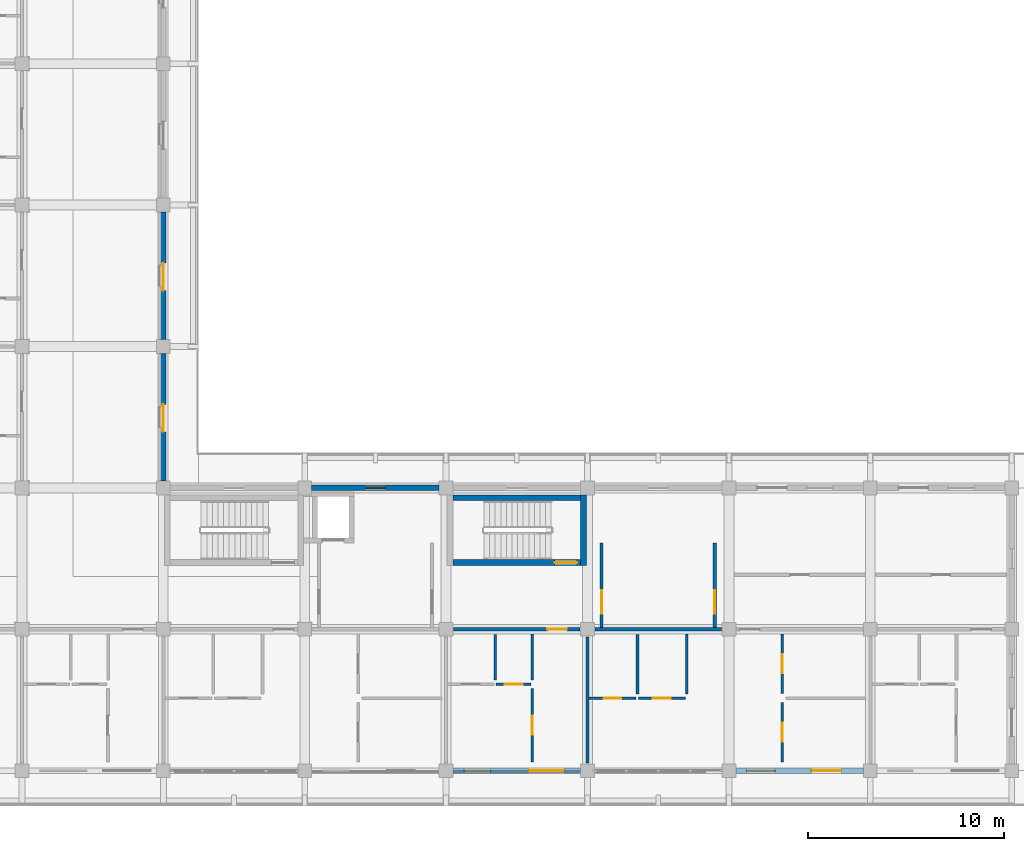
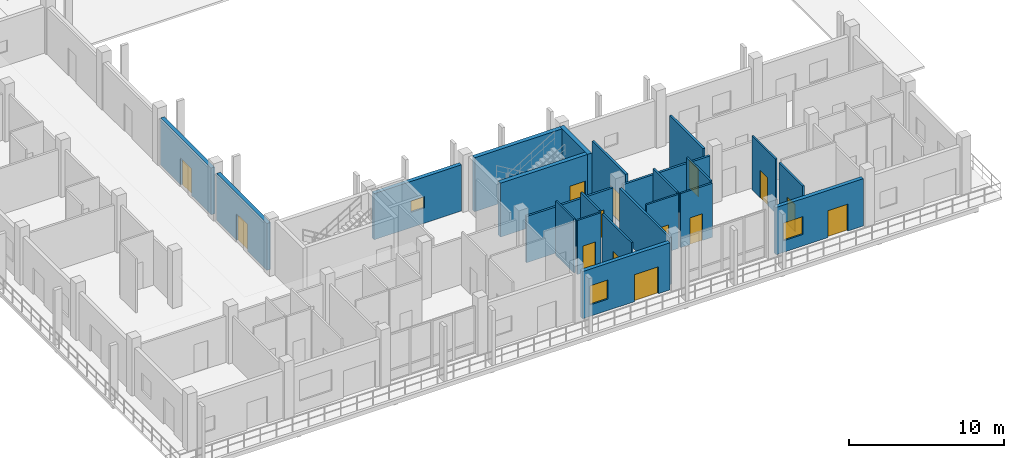
# One storey, part 66 of 110: 23 walls, 14 doors, 3 windows, 17 openings.
"""IFC4 building model written with IfcOpenShell, lengths in metres."""

import ifcopenshell
import ifcopenshell.guid

model = None  # the IFC model being written
_history = None  # IfcOwnerHistory: only IFC2X3 demands one
_inside = {}  # id of a spatial element -> (the spatial element, [elements in it])
_under = {}  # id of a project, library or spatial element -> (it, [spatial elements below it])
_declared = {}  # id of a project -> (the project, [libraries it declares])
_typed = {}  # id of a type object -> (the type object, [elements of that type])
_made_of = {}  # id of a material, layer set ... -> (it, [elements and type objects made of it])


def new_model(schema):
    """Start an empty IFC model of exactly this schema.

    Asked for "IFC4X3", IfcOpenShell would pick the latest addendum, in which some entities
    have other attributes; the version numbers below select the first issue.
    IFC2X3 requires an IfcOwnerHistory on every rooted entity: one is made here for all.
    """
    global model, _history
    if schema == "IFC4X3":
        model = ifcopenshell.file(schema_version=(4, 3, 0, 0))
    else:
        model = ifcopenshell.file(schema=schema)
    _inside.clear()
    _under.clear()
    _declared.clear()
    _typed.clear()
    _made_of.clear()
    _history = None
    if model.schema == "IFC2X3":
        org = make("IfcOrganization", Name="unknown")
        user = make(
            "IfcPersonAndOrganization",
            ThePerson=make("IfcPerson", FamilyName="unknown"),
            TheOrganization=org,
        )
        app = make(
            "IfcApplication",
            ApplicationDeveloper=org,
            Version="unknown",
            ApplicationFullName="unknown",
            ApplicationIdentifier="unknown",
        )
        _history = make(
            "IfcOwnerHistory",
            OwningUser=user,
            OwningApplication=app,
            ChangeAction="ADDED",
            CreationDate=0,
        )
    return model


def make(cls, **values):
    """One entity of the class cls with the attributes given. An attribute that is None is left unset."""
    return model.create_entity(
        cls, **{name: value for name, value in values.items() if value is not None}
    )


def rooted(cls, **values):
    """An entity with a GlobalId (a new one), such as an element, a storey or a relation."""
    return make(cls, GlobalId=ifcopenshell.guid.new(), OwnerHistory=_history, **values)


def si_unit(unit_type, name, prefix=None):
    """IfcSIUnit, for example si_unit("LENGTHUNIT", "METRE", prefix="MILLI")."""
    return make("IfcSIUnit", UnitType=unit_type, Prefix=prefix, Name=name)


def assignment(units):
    """IfcUnitAssignment: the units of a project."""
    return None if units is None else make("IfcUnitAssignment", Units=units)


def point(xyz):
    """IfcCartesianPoint."""
    return None if xyz is None else make("IfcCartesianPoint", Coordinates=xyz)


def direction(xyz):
    """IfcDirection."""
    return None if xyz is None else make("IfcDirection", DirectionRatios=xyz)


def frame(location, z_axis=None, x_axis=None):
    """IfcAxis2Placement3D, a coordinate frame: its origin and axes. An axis left out is left unset."""
    return make(
        "IfcAxis2Placement3D",
        Location=point(location),
        Axis=direction(z_axis),
        RefDirection=direction(x_axis),
    )


def frame_2d(location, x_axis=None):
    """IfcAxis2Placement2D, a coordinate frame in the plane: its origin and x axis."""
    return make(
        "IfcAxis2Placement2D", Location=point(location), RefDirection=direction(x_axis)
    )


def origin():
    """The frame at (0, 0, 0) with its axes left unset."""
    return frame((0.0, 0.0, 0.0))


def place(relative_to, where):
    """IfcLocalPlacement: puts the frame where relative to a parent placement (None: the world)."""
    return make(
        "IfcLocalPlacement", PlacementRelTo=relative_to, RelativePlacement=where
    )


def context(
    kind, dimensions, precision=None, world=None, true_north=None, identifier=None
):
    """IfcGeometricRepresentationContext, for example the 3D "Model" context."""
    return make(
        "IfcGeometricRepresentationContext",
        ContextIdentifier=identifier,
        ContextType=kind,
        CoordinateSpaceDimension=dimensions,
        Precision=precision,
        WorldCoordinateSystem=world,
        TrueNorth=true_north,
    )


def subcontext(parent, identifier, kind, view, scale=None):
    """IfcGeometricRepresentationSubContext, for example "Body" below "Model"."""
    return make(
        "IfcGeometricRepresentationSubContext",
        ContextIdentifier=identifier,
        ContextType=kind,
        ParentContext=parent,
        TargetScale=scale,
        TargetView=view,
    )


def project(units=None, contexts=None):
    """IfcProject with its units and contexts."""
    return rooted(
        "IfcProject",
        Name="project",
        RepresentationContexts=contexts,
        UnitsInContext=assignment(units),
    )


def spatial(cls, under=None, at=None, **own):
    """A site, building, storey or space (cls), placed at a placement, below another one or the project."""
    s = rooted(cls, ObjectPlacement=at, **own)
    if under is not None:
        _under.setdefault(under.id(), (under, []))[1].append(s)
    return s


def profile(cls, at=None, kind="AREA", **sizes):
    """A parametric profile (cls). Its sizes go by their IFC names, for example OverallWidth=200.0."""
    return make(cls, ProfileType=kind, Position=at, **sizes)


def rectangle(**sizes):
    """IfcRectangleProfileDef."""
    return profile("IfcRectangleProfileDef", **sizes)


def extrude(swept, where, along, depth):
    """IfcExtrudedAreaSolid: the profile swept, set in the frame where, extruded along a direction by depth."""
    return make(
        "IfcExtrudedAreaSolid",
        SweptArea=swept,
        Position=where,
        ExtrudedDirection=direction(along),
        Depth=depth,
    )


def shape(context_of_items, identifier, shape_type, items):
    """IfcShapeRepresentation: the items that make up one representation, for example the "Body"."""
    return make(
        "IfcShapeRepresentation",
        ContextOfItems=context_of_items,
        RepresentationIdentifier=identifier,
        RepresentationType=shape_type,
        Items=items,
    )


def material(Name=None, Category=None):
    """IfcMaterial."""
    return make("IfcMaterial", Name=Name, Category=Category)


def layer(
    of_material, thickness, ventilated=None, Name=None, Category=None, Priority=None
):
    """IfcMaterialLayer: one layer of a wall or slab, of a material (None: an air gap)."""
    return make(
        "IfcMaterialLayer",
        Material=of_material,
        LayerThickness=thickness,
        IsVentilated=ventilated,
        Name=Name,
        Category=Category,
        Priority=Priority,
    )


def layer_set(layers, Name=None):
    """IfcMaterialLayerSet."""
    return make("IfcMaterialLayerSet", MaterialLayers=layers, LayerSetName=Name)


def made_of(thing, what):
    """Note that an element or type object is made of a material, layer set ...; save() writes the relation."""
    if what is not None:
        _made_of.setdefault(what.id(), (what, []))[1].append(thing)
    return thing


def type_object(cls, material=None, **own):
    """A type object (cls), such as IfcWallType, which elements share."""
    return made_of(rooted(cls, **own), material)


def element(
    cls,
    number,
    at=None,
    inside=None,
    cuts=None,
    type_object=None,
    material=None,
    context=None,
    identifier="Body",
    shape_type=None,
    held_by="IfcProductDefinitionShape",
    body=None,
    shapes=None,
    **own,
):
    """One element of the class cls, such as IfcWall. Its Tag is "e" and its number.

    at: its placement. inside: the storey or other place that contains it. cuts: it is an
    opening in that element (IfcRelVoidsElement). A single representation is given by context,
    identifier, shape_type and body (its items); several are given by shapes. held_by: the class
    of the entity that holds the representations. save() writes the other relations.
    """
    e = rooted(cls, Tag="e%d" % number, ObjectPlacement=at, **own)
    if body is not None:
        shapes = [shape(context, identifier, shape_type, body)]
    if shapes is not None:
        e.Representation = make(held_by, Representations=shapes)
    if inside is not None:
        _inside.setdefault(inside.id(), (inside, []))[1].append(e)
    if cuts is not None:
        rooted(
            "IfcRelVoidsElement", RelatingBuildingElement=cuts, RelatedOpeningElement=e
        )
    if type_object is not None:
        _typed.setdefault(type_object.id(), (type_object, []))[1].append(e)
    return made_of(e, material)


def fill(opening, filler):
    """IfcRelFillsElement: the door or window that sits in an opening."""
    return rooted(
        "IfcRelFillsElement",
        RelatingOpeningElement=opening,
        RelatedBuildingElement=filler,
    )


def aggregate(whole, parts):
    """IfcRelAggregates: a whole, such as a stair, and the parts it consists of."""
    return rooted("IfcRelAggregates", RelatingObject=whole, RelatedObjects=parts)


def save(model, path):
    """Write the relations noted so far, then the file.

    IfcRelAggregates (storeys below a building ...), IfcRelContainedInSpatialStructure (elements
    in a storey), IfcRelDefinesByType, IfcRelAssociatesMaterial and IfcRelDeclares: one each for
    every whole, place, type object, material and project.
    """
    for whole, parts in _under.values():
        aggregate(whole, parts)
    for where, things in _inside.values():
        rooted(
            "IfcRelContainedInSpatialStructure",
            RelatedElements=things,
            RelatingStructure=where,
        )
    for kind, things in _typed.values():
        rooted("IfcRelDefinesByType", RelatedObjects=things, RelatingType=kind)
    for what, things in _made_of.values():
        rooted("IfcRelAssociatesMaterial", RelatedObjects=things, RelatingMaterial=what)
    for by, libraries in _declared.values():
        rooted("IfcRelDeclares", RelatingContext=by, RelatedDefinitions=libraries)
    model.write(path)


model = new_model("IFC4")

# Units and contexts
model_context = context("Model", 3, precision=1e-05, world=origin(), true_north=direction((0.0, 1.0)))
body_context = subcontext(model_context, "Body", "Model", "MODEL_VIEW")
ifc_project = project(units=[si_unit("LENGTHUNIT", "METRE"), si_unit("AREAUNIT", "SQUARE_METRE"), si_unit("VOLUMEUNIT", "CUBIC_METRE"), si_unit("PLANEANGLEUNIT", "RADIAN"), si_unit("MASSUNIT", "GRAM", prefix="KILO")], contexts=[model_context])

# Site, building, storey
site_placement = place(None, origin())
site = spatial("IfcSite", under=ifc_project, at=site_placement, CompositionType="ELEMENT")
building_placement = place(site_placement, origin())
building = spatial("IfcBuilding", under=site, at=building_placement, Name="Suanplinth Sawtooth Commons", CompositionType="ELEMENT")
storey_placement = place(building_placement, frame((0.0, 0.0, 4.5)))
storey = spatial("IfcBuildingStorey", under=building, at=storey_placement, Name="L01", CompositionType="ELEMENT", Elevation=4.5)

# Wall, opening, door
ifc_material_1 = material(Name="Concrete C40/50", Category="concrete")
ifc_layer_1 = layer(ifc_material_1, 0.300048828125, Name="Standard RC stair and lift core wall 300mm")
ifc_layer_set_1 = layer_set([ifc_layer_1], Name="Concrete C40/50")
wall_type_1 = type_object("IfcWallType", Name="W-CR02", PredefinedType="SHEAR", material=ifc_layer_set_1)
wall_1_placement = place(storey_placement, frame((29.14990234375, 10.60009765625, 0.0), z_axis=(0.0, 0.0, 1.0), x_axis=(1.0, 0.0, 0.0)))
wall_1 = element("IfcWall", 1, at=wall_1_placement, inside=storey, type_object=wall_type_1, Name="W-L01-C-D2-STS", PredefinedType="SHEAR", context=body_context, shape_type="SweptSolid", body=[
    extrude(rectangle(XDim=6.5, YDim=0.300048828125, at=frame_2d((3.25, 0.0))), origin(), (0.0, 0.0, 1.0), 4.25),
])
opening_1_placement = place(wall_1_placement, frame((5.169921875, 0.0, 0.0)))
opening_1 = element("IfcOpeningElement", 2, at=opening_1_placement, cuts=wall_1, Name="Opening FD0403", PredefinedType="OPENING", context=body_context, shape_type="SweptSolid", body=[
    extrude(rectangle(XDim=1.14990234375, YDim=2.199951171875, at=frame_2d((0.574951171875, 1.10009765625))), frame((0.0, 0.1650390625, 0.0), z_axis=(0.0, -1.0, 0.0), x_axis=(1.0, 0.0, 0.0)), (0.0, 0.0, 1.0), 0.329833984375),
])
ifc_material_2 = material(Name="Teak hardwood fire-rated door assembly", Category="wood")
door_type_1 = type_object("IfcDoorType", Name="FD-01", OperationType="NOTDEFINED", PredefinedType="DOOR", material=ifc_material_2)
door_1_placement = place(opening_1_placement, origin())
door_1 = element("IfcDoor", 3, at=door_1_placement, inside=storey, type_object=door_type_1, Name="Exit Stair Fire Door FD0403", OperationType="SINGLE_SWING_RIGHT", OverallHeight=2.199951171875, OverallWidth=1.14990234375, PredefinedType="DOOR", context=body_context, shape_type="SweptSolid", body=[
    extrude(rectangle(XDim=1.14990234375, YDim=2.199951171875, at=frame_2d((0.574951171875, 1.10009765625))), frame((0.0, 0.02490234375, 0.0), z_axis=(0.0, -1.0, 0.0), x_axis=(1.0, 0.0, 0.0)), (0.0, 0.0, 1.0), 0.050048828125),
])
fill(opening_1, door_1)

# Walls
wall_2_placement = place(storey_placement, frame((29.14990234375, 13.89990234375, 0.0), z_axis=(0.0, 0.0, 1.0), x_axis=(1.0, 0.0, 0.0)))
element("IfcWall", 4, at=wall_2_placement, inside=storey, type_object=wall_type_1, Name="W-L01-C-D2-STN", PredefinedType="SHEAR", context=body_context, shape_type="SweptSolid", body=[
    extrude(rectangle(XDim=6.5, YDim=0.300048828125, at=frame_2d((3.25, 0.0))), origin(), (0.0, 0.0, 1.0), 4.25),
])
wall_3_placement = place(storey_placement, frame((35.800048828125, 10.449951171875, 0.0), z_axis=(0.0, 0.0, 1.0), x_axis=(0.0, 1.0, 0.0)))
element("IfcWall", 5, at=wall_3_placement, inside=storey, type_object=wall_type_1, Name="W-L01-C-D2-STE", PredefinedType="SHEAR", context=body_context, shape_type="SweptSolid", body=[
    extrude(rectangle(XDim=3.60009765625, YDim=0.300048828125, at=frame_2d((1.800048828125, 0.0))), origin(), (0.0, 0.0, 1.0), 4.25),
])

# Wall, opening, door
ifc_material_3 = material(Name="Precast concrete C40/50", Category="concrete")
ifc_layer_2 = layer(ifc_material_3, 0.280029296875, Name="Insulated precast architectural facade wall 280mm")
ifc_layer_set_2 = layer_set([ifc_layer_2], Name="Precast concrete C40/50")
wall_type_2 = type_object("IfcWallType", Name="W-EX01", PredefinedType="ELEMENTEDWALL", material=ifc_layer_set_2)
wall_4_placement = place(storey_placement, frame((14.39990234375, 14.75, 0.0), z_axis=(0.0, 0.0, 1.0), x_axis=(0.0, 1.0, 0.0)))
wall_4 = element("IfcWall", 6, at=wall_4_placement, inside=storey, type_object=wall_type_2, Name="Facade Wall W-L01-D-E-1-2", PredefinedType="ELEMENTEDWALL", context=body_context, shape_type="SweptSolid", body=[
    extrude(rectangle(XDim=6.5, YDim=0.280029296875, at=frame_2d((3.25, 0.0))), origin(), (0.0, 0.0, 1.0), 3.68505859375),
])
opening_2_placement = place(wall_4_placement, frame((2.5, 0.0, 0.0)))
opening_2 = element("IfcOpeningElement", 7, at=opening_2_placement, cuts=wall_4, Name="Opening ED0118", PredefinedType="OPENING", context=body_context, shape_type="SweptSolid", body=[
    extrude(rectangle(XDim=1.39990234375, YDim=2.10009765625, at=frame_2d((0.699951171875, 1.050048828125))), frame((0.0, 0.15478515625, 0.0), z_axis=(0.0, -1.0, 0.0), x_axis=(1.0, 0.0, 0.0)), (0.0, 0.0, 1.0), 0.309814453125),
])
ifc_material_4 = material(Name="Anodized aluminium and low-E glass", Category="aluminium")
door_type_2 = type_object("IfcDoorType", Name="SD-07", OperationType="SLIDING_TO_RIGHT", PredefinedType="DOOR", material=ifc_material_4)
door_2_placement = place(opening_2_placement, frame((1.39990234375, 0.0, 0.0), z_axis=(0.0, 0.0, 1.0), x_axis=(-1.0, 0.0, 0.0)))
door_2 = element("IfcDoor", 8, at=door_2_placement, inside=storey, type_object=door_type_2, Name="Courtyard Veranda Studio Balcony Door L01-D-2", OperationType="SLIDING_TO_RIGHT", OverallHeight=2.10009765625, OverallWidth=1.39990234375, PredefinedType="DOOR", context=body_context, shape_type="SweptSolid", body=[
    extrude(rectangle(XDim=1.39990234375, YDim=2.10009765625, at=frame_2d((0.699951171875, 1.050048828125))), frame((0.0, 0.02490234375, 0.0), z_axis=(0.0, -1.0, 0.0), x_axis=(1.0, 0.0, 0.0)), (0.0, 0.0, 1.0), 0.050048828125),
])
fill(opening_2, door_2)

wall_5_placement = place(storey_placement, frame((14.39990234375, 21.949951171875, 0.0), z_axis=(0.0, 0.0, 1.0), x_axis=(0.0, 1.0, 0.0)))
wall_5 = element("IfcWall", 9, at=wall_5_placement, inside=storey, type_object=wall_type_2, Name="Facade Wall W-L01-D-E-1-3", PredefinedType="ELEMENTEDWALL", context=body_context, shape_type="SweptSolid", body=[
    extrude(rectangle(XDim=6.5, YDim=0.280029296875, at=frame_2d((3.25, 0.0))), origin(), (0.0, 0.0, 1.0), 3.68505859375),
])
opening_3_placement = place(wall_5_placement, frame((2.5, 0.0, 0.0)))
opening_3 = element("IfcOpeningElement", 10, at=opening_3_placement, cuts=wall_5, Name="Opening ED0119", PredefinedType="OPENING", context=body_context, shape_type="SweptSolid", body=[
    extrude(rectangle(XDim=1.39990234375, YDim=2.10009765625, at=frame_2d((0.699951171875, 1.050048828125))), frame((0.0, 0.15478515625, 0.0), z_axis=(0.0, -1.0, 0.0), x_axis=(1.0, 0.0, 0.0)), (0.0, 0.0, 1.0), 0.309814453125),
])
door_3_placement = place(opening_3_placement, frame((1.39990234375, 0.0, 0.0), z_axis=(0.0, 0.0, 1.0), x_axis=(-1.0, 0.0, 0.0)))
door_3 = element("IfcDoor", 11, at=door_3_placement, inside=storey, type_object=door_type_2, Name="Courtyard Veranda Studio Balcony Door L01-D-3", OperationType="SLIDING_TO_RIGHT", OverallHeight=2.10009765625, OverallWidth=1.39990234375, PredefinedType="DOOR", context=body_context, shape_type="SweptSolid", body=[
    extrude(rectangle(XDim=1.39990234375, YDim=2.10009765625, at=frame_2d((0.699951171875, 1.050048828125))), frame((0.0, 0.02490234375, 0.0), z_axis=(0.0, -1.0, 0.0), x_axis=(1.0, 0.0, 0.0)), (0.0, 0.0, 1.0), 0.050048828125),
])
fill(opening_3, door_3)

# Wall, opening, window
wall_6_placement = place(storey_placement, frame((21.949951171875, 14.39990234375, 0.0), z_axis=(0.0, 0.0, 1.0), x_axis=(1.0, 0.0, 0.0)))
wall_6 = element("IfcWall", 12, at=wall_6_placement, inside=storey, type_object=wall_type_2, Name="Facade Wall W-L01-D-N-3-1", PredefinedType="ELEMENTEDWALL", context=body_context, shape_type="SweptSolid", body=[
    extrude(rectangle(XDim=6.5, YDim=0.280029296875, at=frame_2d((3.25, 0.0))), origin(), (0.0, 0.0, 1.0), 3.635009765625),
])
opening_4_placement = place(wall_6_placement, frame((2.75, 0.0, 1.199951171875)))
opening_4 = element("IfcOpeningElement", 13, at=opening_4_placement, cuts=wall_6, Name="Opening W0240", PredefinedType="OPENING", context=body_context, shape_type="SweptSolid", body=[
    extrude(rectangle(XDim=1.0, YDim=0.89990234375, at=frame_2d((0.5, 0.449951171875))), frame((0.0, 0.15478515625, 0.0), z_axis=(0.0, -1.0, 0.0), x_axis=(1.0, 0.0, 0.0)), (0.0, 0.0, 1.0), 0.309814453125),
])
ifc_material_5 = material(Name="Thermally broken aluminium and low-E double glazing", Category="aluminium")
window_type_1 = type_object("IfcWindowType", Name="WN-12", PartitioningType="SINGLE_PANEL", PredefinedType="WINDOW", material=ifc_material_5)
window_1_placement = place(opening_4_placement, origin())
window_1 = element("IfcWindow", 14, at=window_1_placement, inside=storey, type_object=window_type_1, Name="Core Daylight Window L01-D-3-1", OverallHeight=0.89990234375, OverallWidth=1.0, PartitioningType="SINGLE_PANEL", PredefinedType="WINDOW", context=body_context, shape_type="SweptSolid", body=[
    extrude(rectangle(XDim=1.0, YDim=0.89990234375, at=frame_2d((0.5, 0.449951171875))), frame((0.0, 0.030029296875, 0.0), z_axis=(0.0, -1.0, 0.0), x_axis=(1.0, 0.0, 0.0)), (0.0, 0.0, 1.0), 0.06005859375),
])
fill(opening_4, window_1)

# Wall, openings, door, window
wall_7_placement = place(storey_placement, frame((29.14990234375, 0.0, 0.0), z_axis=(0.0, 0.0, 1.0), x_axis=(1.0, 0.0, 0.0)))
wall_7 = element("IfcWall", 15, at=wall_7_placement, inside=storey, type_object=wall_type_2, Name="Facade Wall W-L01-D-S-4-0", PredefinedType="ELEMENTEDWALL", context=body_context, shape_type="SweptSolid", body=[
    extrude(rectangle(XDim=6.5, YDim=0.280029296875, at=frame_2d((3.25, 0.0))), origin(), (0.0, 0.0, 1.0), 3.715087890625),
])
opening_5_placement = place(wall_7_placement, frame((3.85009765625, 0.0, 0.0)))
opening_5 = element("IfcOpeningElement", 16, at=opening_5_placement, cuts=wall_7, Name="Opening ED0123", PredefinedType="OPENING", context=body_context, shape_type="SweptSolid", body=[
    extrude(rectangle(XDim=1.800048828125, YDim=2.1201171875, at=frame_2d((0.89990234375, 1.06005859375))), frame((0.0, 0.15478515625, 0.0), z_axis=(0.0, -1.0, 0.0), x_axis=(1.0, 0.0, 0.0)), (0.0, 0.0, 1.0), 0.309814453125),
])
opening_6_placement = place(wall_7_placement, frame((0.550048828125, 0.0, 0.89990234375)))
opening_6 = element("IfcOpeningElement", 17, at=opening_6_placement, cuts=wall_7, Name="Opening W0241", PredefinedType="OPENING", context=body_context, shape_type="SweptSolid", body=[
    extrude(rectangle(XDim=1.35009765625, YDim=1.5, at=frame_2d((0.675048828125, 0.75))), frame((0.0, 0.15478515625, 0.0), z_axis=(0.0, -1.0, 0.0), x_axis=(1.0, 0.0, 0.0)), (0.0, 0.0, 1.0), 0.309814453125),
])
door_type_3 = type_object("IfcDoorType", Name="SD-01", OperationType="SLIDING_TO_LEFT", PredefinedType="DOOR", material=ifc_material_4)
door_4_placement = place(opening_5_placement, frame((1.800048828125, 0.0, 0.0), z_axis=(0.0, 0.0, 1.0), x_axis=(-1.0, 0.0, 0.0)))
door_4 = element("IfcDoor", 18, at=door_4_placement, inside=storey, type_object=door_type_3, Name="Balcony Sliding Door L01-D-4", OperationType="SLIDING_TO_LEFT", OverallHeight=2.1201171875, OverallWidth=1.800048828125, PredefinedType="DOOR", context=body_context, shape_type="SweptSolid", body=[
    extrude(rectangle(XDim=1.800048828125, YDim=2.1201171875, at=frame_2d((0.89990234375, 1.06005859375))), frame((0.0, 0.02490234375, 0.0), z_axis=(0.0, -1.0, 0.0), x_axis=(1.0, 0.0, 0.0)), (0.0, 0.0, 1.0), 0.050048828125),
])
fill(opening_5, door_4)
window_type_2 = type_object("IfcWindowType", Name="WN-14", PartitioningType="SINGLE_PANEL", PredefinedType="WINDOW", material=ifc_material_5)
window_2_placement = place(opening_6_placement, origin())
window_2 = element("IfcWindow", 19, at=window_2_placement, inside=storey, type_object=window_type_2, Name="Apartment Window L01-D-4", OverallHeight=1.5, OverallWidth=1.35009765625, PartitioningType="SINGLE_PANEL", PredefinedType="WINDOW", context=body_context, shape_type="SweptSolid", body=[
    extrude(rectangle(XDim=1.35009765625, YDim=1.5, at=frame_2d((0.675048828125, 0.75))), frame((0.0, 0.030029296875, 0.0), z_axis=(0.0, -1.0, 0.0), x_axis=(1.0, 0.0, 0.0)), (0.0, 0.0, 1.0), 0.06005859375),
])
fill(opening_6, window_2)

wall_8_placement = place(storey_placement, frame((43.550048828125, 0.0, 0.0), z_axis=(0.0, 0.0, 1.0), x_axis=(1.0, 0.0, 0.0)))
wall_8 = element("IfcWall", 20, at=wall_8_placement, inside=storey, type_object=wall_type_2, Name="Facade Wall W-L01-D-S-6-0", PredefinedType="ELEMENTEDWALL", context=body_context, shape_type="SweptSolid", body=[
    extrude(rectangle(XDim=6.5, YDim=0.280029296875, at=frame_2d((3.25, 0.0))), origin(), (0.0, 0.0, 1.0), 3.715087890625),
])
opening_7_placement = place(wall_8_placement, frame((3.85009765625, 0.0, 0.0)))
opening_7 = element("IfcOpeningElement", 21, at=opening_7_placement, cuts=wall_8, Name="Opening ED0124", PredefinedType="OPENING", context=body_context, shape_type="SweptSolid", body=[
    extrude(rectangle(XDim=1.5, YDim=2.1201171875, at=frame_2d((0.75, 1.06005859375))), frame((0.0, 0.15478515625, 0.0), z_axis=(0.0, -1.0, 0.0), x_axis=(1.0, 0.0, 0.0)), (0.0, 0.0, 1.0), 0.309814453125),
])
opening_8_placement = place(wall_8_placement, frame((0.550048828125, 0.0, 0.89990234375)))
opening_8 = element("IfcOpeningElement", 22, at=opening_8_placement, cuts=wall_8, Name="Opening W0244", PredefinedType="OPENING", context=body_context, shape_type="SweptSolid", body=[
    extrude(rectangle(XDim=1.449951171875, YDim=1.39990234375, at=frame_2d((0.72509765625, 0.699951171875))), frame((0.0, 0.15478515625, 0.0), z_axis=(0.0, -1.0, 0.0), x_axis=(1.0, 0.0, 0.0)), (0.0, 0.0, 1.0), 0.309814453125),
])
door_type_4 = type_object("IfcDoorType", Name="SD-03", OperationType="SLIDING_TO_LEFT", PredefinedType="DOOR", material=ifc_material_4)
door_5_placement = place(opening_7_placement, frame((1.5, 0.0, 0.0), z_axis=(0.0, 0.0, 1.0), x_axis=(-1.0, 0.0, 0.0)))
door_5 = element("IfcDoor", 23, at=door_5_placement, inside=storey, type_object=door_type_4, Name="Balcony Sliding Door L01-D-6", OperationType="SLIDING_TO_LEFT", OverallHeight=2.1201171875, OverallWidth=1.5, PredefinedType="DOOR", context=body_context, shape_type="SweptSolid", body=[
    extrude(rectangle(XDim=1.5, YDim=2.1201171875, at=frame_2d((0.75, 1.06005859375))), frame((0.0, 0.02490234375, 0.0), z_axis=(0.0, -1.0, 0.0), x_axis=(1.0, 0.0, 0.0)), (0.0, 0.0, 1.0), 0.050048828125),
])
fill(opening_7, door_5)
window_type_3 = type_object("IfcWindowType", Name="WN-16", PartitioningType="DOUBLE_PANEL_VERTICAL", PredefinedType="WINDOW", material=ifc_material_5)
window_3_placement = place(opening_8_placement, origin())
window_3 = element("IfcWindow", 24, at=window_3_placement, inside=storey, type_object=window_type_3, Name="Apartment Window L01-D-6", OverallHeight=1.39990234375, OverallWidth=1.449951171875, PartitioningType="DOUBLE_PANEL_VERTICAL", PredefinedType="WINDOW", context=body_context, shape_type="SweptSolid", body=[
    extrude(rectangle(XDim=1.449951171875, YDim=1.39990234375, at=frame_2d((0.72509765625, 0.699951171875))), frame((0.0, 0.030029296875, 0.0), z_axis=(0.0, -1.0, 0.0), x_axis=(1.0, 0.0, 0.0)), (0.0, 0.0, 1.0), 0.06005859375),
])
fill(opening_8, window_3)

# Wall, opening, door
ifc_layer_3 = layer(ifc_material_3, 0.159912109375, Name="Fire-rated corridor and lobby wall 160mm")
ifc_layer_set_3 = layer_set([ifc_layer_3], Name="Precast concrete C40/50")
wall_type_3 = type_object("IfcWallType", Name="W-FW01", PredefinedType="PARTITIONING", material=ifc_layer_set_3)
wall_9_placement = place(storey_placement, frame((36.719970703125, 7.280029296875, 0.0), z_axis=(0.0, 0.0, 1.0), x_axis=(0.0, 1.0, 0.0)))
wall_9 = element("IfcWall", 25, at=wall_9_placement, inside=storey, type_object=wall_type_3, Name="W-L01-C-D2-LOB-W", PredefinedType="PARTITIONING", context=body_context, shape_type="SweptSolid", body=[
    extrude(rectangle(XDim=4.320068359375, YDim=0.159912109375, at=frame_2d((2.16015625, 0.0))), origin(), (0.0, 0.0, 1.0), 4.25),
])
opening_9_placement = place(wall_9_placement, frame((0.719970703125, 0.0, 0.0)))
opening_9 = element("IfcOpeningElement", 26, at=opening_9_placement, cuts=wall_9, Name="Opening FD0404", PredefinedType="OPENING", context=body_context, shape_type="SweptSolid", body=[
    extrude(rectangle(XDim=1.199951171875, YDim=2.199951171875, at=frame_2d((0.60009765625, 1.10009765625))), frame((0.0, 0.0947265625, 0.0), z_axis=(0.0, -1.0, 0.0), x_axis=(1.0, 0.0, 0.0)), (0.0, 0.0, 1.0), 0.189697265625),
])
door_type_5 = type_object("IfcDoorType", Name="FD-02", OperationType="NOTDEFINED", PredefinedType="DOOR", material=ifc_material_2)
door_6_placement = place(opening_9_placement, origin())
door_6 = element("IfcDoor", 27, at=door_6_placement, inside=storey, type_object=door_type_5, Name="Lobby Fire Door FD0404", OperationType="SINGLE_SWING_LEFT", OverallHeight=2.199951171875, OverallWidth=1.199951171875, PredefinedType="DOOR", context=body_context, shape_type="SweptSolid", body=[
    extrude(rectangle(XDim=1.199951171875, YDim=2.199951171875, at=frame_2d((0.60009765625, 1.10009765625))), frame((0.0, 0.02490234375, 0.0), z_axis=(0.0, -1.0, 0.0), x_axis=(1.0, 0.0, 0.0)), (0.0, 0.0, 1.0), 0.050048828125),
])
fill(opening_9, door_6)

wall_10_placement = place(storey_placement, frame((42.47998046875, 7.280029296875, 0.0), z_axis=(0.0, 0.0, 1.0), x_axis=(0.0, 1.0, 0.0)))
wall_10 = element("IfcWall", 28, at=wall_10_placement, inside=storey, type_object=wall_type_3, Name="W-L01-C-D2-LOB-E", PredefinedType="PARTITIONING", context=body_context, shape_type="SweptSolid", body=[
    extrude(rectangle(XDim=4.320068359375, YDim=0.159912109375, at=frame_2d((2.16015625, 0.0))), origin(), (0.0, 0.0, 1.0), 4.25),
])
opening_10_placement = place(wall_10_placement, frame((0.719970703125, 0.0, 0.0)))
opening_10 = element("IfcOpeningElement", 29, at=opening_10_placement, cuts=wall_10, Name="Opening FD0405", PredefinedType="OPENING", context=body_context, shape_type="SweptSolid", body=[
    extrude(rectangle(XDim=1.199951171875, YDim=2.199951171875, at=frame_2d((0.60009765625, 1.10009765625))), frame((0.0, 0.0947265625, 0.0), z_axis=(0.0, -1.0, 0.0), x_axis=(1.0, 0.0, 0.0)), (0.0, 0.0, 1.0), 0.189697265625),
])
door_7_placement = place(opening_10_placement, frame((1.199951171875, 0.0, 0.0), z_axis=(0.0, 0.0, 1.0), x_axis=(-1.0, 0.0, 0.0)))
door_7 = element("IfcDoor", 30, at=door_7_placement, inside=storey, type_object=door_type_5, Name="Lobby Fire Door FD0405", OperationType="SINGLE_SWING_RIGHT", OverallHeight=2.199951171875, OverallWidth=1.199951171875, PredefinedType="DOOR", context=body_context, shape_type="SweptSolid", body=[
    extrude(rectangle(XDim=1.199951171875, YDim=2.199951171875, at=frame_2d((0.60009765625, 1.10009765625))), frame((0.0, 0.02490234375, 0.0), z_axis=(0.0, -1.0, 0.0), x_axis=(1.0, 0.0, 0.0)), (0.0, 0.0, 1.0), 0.050048828125),
])
fill(opening_10, door_7)

wall_11_placement = place(storey_placement, frame((29.179931640625, 7.199951171875, 0.0), z_axis=(0.0, 0.0, 1.0), x_axis=(1.0, 0.0, 0.0)))
wall_11 = element("IfcWall", 31, at=wall_11_placement, inside=storey, type_object=wall_type_3, Name="W-D-L01-U04-COR", PredefinedType="PARTITIONING", context=body_context, shape_type="SweptSolid", body=[
    extrude(rectangle(XDim=6.440185546875, YDim=0.159912109375, at=frame_2d((3.22021484375, 0.0))), origin(), (0.0, 0.0, 1.0), 3.635009765625),
])
opening_11_placement = place(wall_11_placement, frame((4.77001953125, 0.0, 0.0)))
opening_11 = element("IfcOpeningElement", 32, at=opening_11_placement, cuts=wall_11, Name="Opening FD0661", PredefinedType="OPENING", context=body_context, shape_type="SweptSolid", body=[
    extrude(rectangle(XDim=1.0, YDim=2.14990234375, at=frame_2d((0.5, 1.074951171875))), frame((0.0, 0.0947265625, 0.0), z_axis=(0.0, -1.0, 0.0), x_axis=(1.0, 0.0, 0.0)), (0.0, 0.0, 1.0), 0.189697265625),
])
door_type_6 = type_object("IfcDoorType", Name="FD-03", OperationType="NOTDEFINED", PredefinedType="DOOR", material=ifc_material_2)
door_8_placement = place(opening_11_placement, frame((1.0, 0.0, 0.0), z_axis=(0.0, 0.0, 1.0), x_axis=(-1.0, 0.0, 0.0)))
door_8 = element("IfcDoor", 33, at=door_8_placement, inside=storey, type_object=door_type_6, Name="Unit Entrance Door FD0661", OperationType="SINGLE_SWING_LEFT", OverallHeight=2.14990234375, OverallWidth=1.0, PredefinedType="DOOR", context=body_context, shape_type="SweptSolid", body=[
    extrude(rectangle(XDim=1.0, YDim=2.14990234375, at=frame_2d((0.5, 1.074951171875))), frame((0.0, 0.02490234375, 0.0), z_axis=(0.0, -1.0, 0.0), x_axis=(1.0, 0.0, 0.0)), (0.0, 0.0, 1.0), 0.050048828125),
])
fill(opening_11, door_8)

# Walls
wall_12_placement = place(storey_placement, frame((36.3798828125, 7.199951171875, 0.0), z_axis=(0.0, 0.0, 1.0), x_axis=(1.0, 0.0, 0.0)))
element("IfcWall", 34, at=wall_12_placement, inside=storey, type_object=wall_type_3, Name="W-D-L01-U05-COR-S1", PredefinedType="PARTITIONING", context=body_context, shape_type="SweptSolid", body=[
    extrude(rectangle(XDim=6.440185546875, YDim=0.159912109375, at=frame_2d((3.22021484375, 0.0))), origin(), (0.0, 0.0, 1.0), 3.635009765625),
])
ifc_layer_4 = layer(ifc_material_3, 0.14990234375, Name="Acoustic precast party demising wall 150mm")
ifc_layer_set_4 = layer_set([ifc_layer_4], Name="Precast concrete C40/50")
wall_type_4 = type_object("IfcWallType", Name="W-FW02", PredefinedType="PARTITIONING", material=ifc_layer_set_4)
wall_13_placement = place(storey_placement, frame((36.0, 0.3798828125, 0.0), z_axis=(0.0, 0.0, 1.0), x_axis=(0.0, 1.0, 0.0)))
element("IfcWall", 35, at=wall_13_placement, inside=storey, type_object=wall_type_4, Name="W-D-L01-U04-PTY", PredefinedType="PARTITIONING", context=body_context, shape_type="SweptSolid", body=[
    extrude(rectangle(XDim=6.440185546875, YDim=0.14990234375, at=frame_2d((3.22021484375, 0.0))), origin(), (0.0, 0.0, 1.0), 3.68505859375),
])

# Wall, opening, door
ifc_material_6 = material(Name="Gypsum plasterboard on steel stud", Category="steel")
ifc_layer_5 = layer(ifc_material_6, 0.139892578125, Name="Fire-rated kitchen partition 140mm")
ifc_layer_set_5 = layer_set([ifc_layer_5], Name="Gypsum plasterboard on steel stud")
wall_type_5 = type_object("IfcWallType", Name="W-PT01", PredefinedType="PARTITIONING", material=ifc_layer_set_5)
wall_14_placement = place(storey_placement, frame((31.35009765625, 4.39990234375, 0.0), z_axis=(0.0, 0.0, 1.0), x_axis=(1.0, 0.0, 0.0)))
wall_14 = element("IfcWall", 36, at=wall_14_placement, inside=storey, type_object=wall_type_5, Name="W-D-L01-U04-KIT1", PredefinedType="PARTITIONING", context=body_context, shape_type="SweptSolid", body=[
    extrude(rectangle(XDim=1.77001953125, YDim=0.139892578125, at=frame_2d((0.885009765625, 0.0))), origin(), (0.0, 0.0, 1.0), 4.25),
])
opening_12_placement = place(wall_14_placement, frame((0.425048828125, 0.0, 0.0)))
opening_12 = element("IfcOpeningElement", 37, at=opening_12_placement, cuts=wall_14, Name="Opening D0663", PredefinedType="OPENING", context=body_context, shape_type="SweptSolid", body=[
    extrude(rectangle(XDim=0.919921875, YDim=2.10009765625, at=frame_2d((0.4599609375, 1.050048828125))), frame((0.0, 0.0849609375, 0.0), z_axis=(0.0, -1.0, 0.0), x_axis=(1.0, 0.0, 0.0)), (0.0, 0.0, 1.0), 0.169677734375),
])
ifc_material_7 = material(Name="Teak hardwood", Category="wood")
door_type_7 = type_object("IfcDoorType", Name="D-02", OperationType="NOTDEFINED", PredefinedType="DOOR", material=ifc_material_7)
door_9_placement = place(opening_12_placement, origin())
door_9 = element("IfcDoor", 38, at=door_9_placement, inside=storey, type_object=door_type_7, Name="Kitchen Door D0663", OperationType="SINGLE_SWING_LEFT", OverallHeight=2.10009765625, OverallWidth=0.919921875, PredefinedType="DOOR", context=body_context, shape_type="SweptSolid", body=[
    extrude(rectangle(XDim=0.919921875, YDim=2.10009765625, at=frame_2d((0.4599609375, 1.050048828125))), frame((0.0, 0.02490234375, 0.0), z_axis=(0.0, -1.0, 0.0), x_axis=(1.0, 0.0, 0.0)), (0.0, 0.0, 1.0), 0.050048828125),
])
fill(opening_12, door_9)

# Wall
wall_15_placement = place(storey_placement, frame((33.18994140625, 4.6201171875, 0.0), z_axis=(0.0, 0.0, 1.0), x_axis=(0.0, 1.0, 0.0)))
element("IfcWall", 39, at=wall_15_placement, inside=storey, type_object=wall_type_5, Name="W-D-L01-U04-KIT2", PredefinedType="PARTITIONING", context=body_context, shape_type="SweptSolid", body=[
    extrude(rectangle(XDim=2.349853515625, YDim=0.139892578125, at=frame_2d((1.1748046875, 0.0))), origin(), (0.0, 0.0, 1.0), 4.25),
])

# Wall, opening, door
wall_16_placement = place(storey_placement, frame((38.60009765625, 3.68994140625, 0.0), z_axis=(0.0, 0.0, 1.0), x_axis=(1.0, 0.0, 0.0)))
wall_16 = element("IfcWall", 40, at=wall_16_placement, inside=storey, type_object=wall_type_5, Name="W-D-L01-U05-KIT1", PredefinedType="PARTITIONING", context=body_context, shape_type="SweptSolid", body=[
    extrude(rectangle(XDim=2.3798828125, YDim=0.139892578125, at=frame_2d((1.18994140625, 0.0))), origin(), (0.0, 0.0, 1.0), 4.25),
])
opening_13_placement = place(wall_16_placement, frame((0.72998046875, 0.0, 0.0)))
opening_13 = element("IfcOpeningElement", 41, at=opening_13_placement, cuts=wall_16, Name="Opening D0667", PredefinedType="OPENING", context=body_context, shape_type="SweptSolid", body=[
    extrude(rectangle(XDim=0.919921875, YDim=2.10009765625, at=frame_2d((0.4599609375, 1.050048828125))), frame((0.0, 0.0849609375, 0.0), z_axis=(0.0, -1.0, 0.0), x_axis=(1.0, 0.0, 0.0)), (0.0, 0.0, 1.0), 0.169677734375),
])
door_10_placement = place(opening_13_placement, origin())
door_10 = element("IfcDoor", 42, at=door_10_placement, inside=storey, type_object=door_type_7, Name="Kitchen Door D0667", OperationType="SINGLE_SWING_LEFT", OverallHeight=2.10009765625, OverallWidth=0.919921875, PredefinedType="DOOR", context=body_context, shape_type="SweptSolid", body=[
    extrude(rectangle(XDim=0.919921875, YDim=2.10009765625, at=frame_2d((0.4599609375, 1.050048828125))), frame((0.0, 0.02490234375, 0.0), z_axis=(0.0, -1.0, 0.0), x_axis=(1.0, 0.0, 0.0)), (0.0, 0.0, 1.0), 0.050048828125),
])
fill(opening_13, door_10)

# Walls
wall_17_placement = place(storey_placement, frame((41.050048828125, 3.909912109375, 0.0), z_axis=(0.0, 0.0, 1.0), x_axis=(0.0, 1.0, 0.0)))
element("IfcWall", 43, at=wall_17_placement, inside=storey, type_object=wall_type_5, Name="W-D-L01-U05-KIT2", PredefinedType="PARTITIONING", context=body_context, shape_type="SweptSolid", body=[
    extrude(rectangle(XDim=3.06005859375, YDim=0.139892578125, at=frame_2d((1.530029296875, 0.0))), origin(), (0.0, 0.0, 1.0), 4.25),
])
ifc_layer_6 = layer(ifc_material_6, 0.1298828125, Name="Moisture-resistant bathroom partition 130mm")
ifc_layer_set_6 = layer_set([ifc_layer_6], Name="Gypsum plasterboard on steel stud")
wall_type_6 = type_object("IfcWallType", Name="W-PT02", PredefinedType="PARTITIONING", material=ifc_layer_set_6)
wall_18_placement = place(storey_placement, frame((31.294921875, 4.610107421875, 0.0), z_axis=(0.0, 0.0, 1.0), x_axis=(0.0, 1.0, 0.0)))
element("IfcWall", 44, at=wall_18_placement, inside=storey, type_object=wall_type_6, Name="W-D-L01-U04-BTH2", PredefinedType="PARTITIONING", context=body_context, shape_type="SweptSolid", body=[
    extrude(rectangle(XDim=2.329833984375, YDim=0.1298828125, at=frame_2d((1.1650390625, 0.0))), origin(), (0.0, 0.0, 1.0), 4.25),
])

# Wall, opening, door
wall_19_placement = place(storey_placement, frame((36.080078125, 3.695068359375, 0.0), z_axis=(0.0, 0.0, 1.0), x_axis=(1.0, 0.0, 0.0)))
wall_19 = element("IfcWall", 45, at=wall_19_placement, inside=storey, type_object=wall_type_6, Name="W-D-L01-U05-BTH1", PredefinedType="PARTITIONING", context=body_context, shape_type="SweptSolid", body=[
    extrude(rectangle(XDim=2.39990234375, YDim=0.1298828125, at=frame_2d((1.199951171875, 0.0))), origin(), (0.0, 0.0, 1.0), 4.25),
])
opening_14_placement = place(wall_19_placement, frame((0.75, 0.0, 0.0)))
opening_14 = element("IfcOpeningElement", 46, at=opening_14_placement, cuts=wall_19, Name="Opening D0666", PredefinedType="OPENING", context=body_context, shape_type="SweptSolid", body=[
    extrude(rectangle(XDim=0.89990234375, YDim=2.10009765625, at=frame_2d((0.449951171875, 1.050048828125))), frame((0.0, 0.079833984375, 0.0), z_axis=(0.0, -1.0, 0.0), x_axis=(1.0, 0.0, 0.0)), (0.0, 0.0, 1.0), 0.15966796875),
])
door_type_8 = type_object("IfcDoorType", Name="D-01", OperationType="NOTDEFINED", PredefinedType="DOOR", material=ifc_material_7)
door_11_placement = place(opening_14_placement, origin())
door_11 = element("IfcDoor", 47, at=door_11_placement, inside=storey, type_object=door_type_8, Name="Bathroom Door D0666", OperationType="SINGLE_SWING_RIGHT", OverallHeight=2.10009765625, OverallWidth=0.89990234375, PredefinedType="DOOR", context=body_context, shape_type="SweptSolid", body=[
    extrude(rectangle(XDim=0.89990234375, YDim=2.10009765625, at=frame_2d((0.449951171875, 1.050048828125))), frame((0.0, 0.02490234375, 0.0), z_axis=(0.0, -1.0, 0.0), x_axis=(1.0, 0.0, 0.0)), (0.0, 0.0, 1.0), 0.050048828125),
])
fill(opening_14, door_11)

# Wall
wall_20_placement = place(storey_placement, frame((38.544921875, 3.89990234375, 0.0), z_axis=(0.0, 0.0, 1.0), x_axis=(0.0, 1.0, 0.0)))
element("IfcWall", 48, at=wall_20_placement, inside=storey, type_object=wall_type_6, Name="W-D-L01-U05-BTH2", PredefinedType="PARTITIONING", context=body_context, shape_type="SweptSolid", body=[
    extrude(rectangle(XDim=3.0400390625, YDim=0.1298828125, at=frame_2d((1.52001953125, 0.0))), origin(), (0.0, 0.0, 1.0), 4.25),
])

# Wall, opening, door
ifc_layer_7 = layer(ifc_material_6, 0.1201171875, Name="Acoustic bedroom partition 120mm")
ifc_layer_set_7 = layer_set([ifc_layer_7], Name="Gypsum plasterboard on steel stud")
wall_type_7 = type_object("IfcWallType", Name="W-PT03", PredefinedType="PARTITIONING", material=ifc_layer_set_7)
wall_21_placement = place(storey_placement, frame((45.919921875, 3.919921875, 0.0), z_axis=(0.0, 0.0, 1.0), x_axis=(0.0, 1.0, 0.0)))
wall_21 = element("IfcWall", 49, at=wall_21_placement, inside=storey, type_object=wall_type_7, Name="W-D-L01-U05-BED2", PredefinedType="PARTITIONING", context=body_context, shape_type="SweptSolid", body=[
    extrude(rectangle(XDim=3.0400390625, YDim=0.1201171875, at=frame_2d((1.52001953125, 0.0))), origin(), (0.0, 0.0, 1.0), 4.25),
])
opening_15_placement = place(wall_21_placement, frame((1.0400390625, 0.0, 0.0)))
opening_15 = element("IfcOpeningElement", 50, at=opening_15_placement, cuts=wall_21, Name="Opening D0669", PredefinedType="OPENING", context=body_context, shape_type="SweptSolid", body=[
    extrude(rectangle(XDim=0.9599609375, YDim=2.14990234375, at=frame_2d((0.47998046875, 1.074951171875))), frame((0.0, 0.074951171875, 0.0), z_axis=(0.0, -1.0, 0.0), x_axis=(1.0, 0.0, 0.0)), (0.0, 0.0, 1.0), 0.14990234375),
])
door_type_9 = type_object("IfcDoorType", Name="D-13", OperationType="NOTDEFINED", PredefinedType="DOOR", material=ifc_material_7)
door_12_placement = place(opening_15_placement, frame((0.9599609375, 0.0, 0.0), z_axis=(0.0, 0.0, 1.0), x_axis=(-1.0, 0.0, 0.0)))
door_12 = element("IfcDoor", 51, at=door_12_placement, inside=storey, type_object=door_type_9, Name="Second Bedroom Door D0669", OperationType="SINGLE_SWING_LEFT", OverallHeight=2.14990234375, OverallWidth=0.9599609375, PredefinedType="DOOR", context=body_context, shape_type="SweptSolid", body=[
    extrude(rectangle(XDim=0.9599609375, YDim=2.14990234375, at=frame_2d((0.47998046875, 1.074951171875))), frame((0.0, 0.02490234375, 0.0), z_axis=(0.0, -1.0, 0.0), x_axis=(1.0, 0.0, 0.0)), (0.0, 0.0, 1.0), 0.050048828125),
])
fill(opening_15, door_12)

ifc_layer_8 = layer(ifc_material_6, 0.135009765625, Name="Insulated bedroom demising partition 135mm")
ifc_layer_set_8 = layer_set([ifc_layer_8], Name="Gypsum plasterboard on steel stud")
wall_type_8 = type_object("IfcWallType", Name="W-PT07", PredefinedType="PARTITIONING", material=ifc_layer_set_8)
wall_22_placement = place(storey_placement, frame((33.179931640625, 0.43994140625, 0.0), z_axis=(0.0, 0.0, 1.0), x_axis=(0.0, 1.0, 0.0)))
wall_22 = element("IfcWall", 52, at=wall_22_placement, inside=storey, type_object=wall_type_8, Name="W-D-L01-U04-BED1", PredefinedType="PARTITIONING", context=body_context, shape_type="SweptSolid", body=[
    extrude(rectangle(XDim=3.75, YDim=0.135009765625, at=frame_2d((1.875, 0.0))), origin(), (0.0, 0.0, 1.0), 4.25),
])
opening_16_placement = place(wall_22_placement, frame((1.39990234375, 0.0, 0.0)))
opening_16 = element("IfcOpeningElement", 53, at=opening_16_placement, cuts=wall_22, Name="Opening D0664", PredefinedType="OPENING", context=body_context, shape_type="SweptSolid", body=[
    extrude(rectangle(XDim=0.949951171875, YDim=2.14990234375, at=frame_2d((0.47509765625, 1.074951171875))), frame((0.0, 0.08251953125, 0.0), z_axis=(0.0, -1.0, 0.0), x_axis=(1.0, 0.0, 0.0)), (0.0, 0.0, 1.0), 0.164794921875),
])
door_type_10 = type_object("IfcDoorType", Name="D-03", OperationType="NOTDEFINED", PredefinedType="DOOR", material=ifc_material_7)
door_13_placement = place(opening_16_placement, origin())
door_13 = element("IfcDoor", 54, at=door_13_placement, inside=storey, type_object=door_type_10, Name="Bedroom Door D0664", OperationType="SINGLE_SWING_RIGHT", OverallHeight=2.14990234375, OverallWidth=0.949951171875, PredefinedType="DOOR", context=body_context, shape_type="SweptSolid", body=[
    extrude(rectangle(XDim=0.949951171875, YDim=2.14990234375, at=frame_2d((0.47509765625, 1.074951171875))), frame((0.0, 0.02490234375, 0.0), z_axis=(0.0, -1.0, 0.0), x_axis=(1.0, 0.0, 0.0)), (0.0, 0.0, 1.0), 0.050048828125),
])
fill(opening_16, door_13)

wall_23_placement = place(storey_placement, frame((45.919921875, 0.43994140625, 0.0), z_axis=(0.0, 0.0, 1.0), x_axis=(0.0, 1.0, 0.0)))
wall_23 = element("IfcWall", 55, at=wall_23_placement, inside=storey, type_object=wall_type_8, Name="W-D-L01-U05-BED1", PredefinedType="PARTITIONING", context=body_context, shape_type="SweptSolid", body=[
    extrude(rectangle(XDim=3.0400390625, YDim=0.135009765625, at=frame_2d((1.52001953125, 0.0))), origin(), (0.0, 0.0, 1.0), 4.25),
])
opening_17_placement = place(wall_23_placement, frame((1.044921875, 0.0, 0.0)))
opening_17 = element("IfcOpeningElement", 56, at=opening_17_placement, cuts=wall_23, Name="Opening D0668", PredefinedType="OPENING", context=body_context, shape_type="SweptSolid", body=[
    extrude(rectangle(XDim=0.949951171875, YDim=2.14990234375, at=frame_2d((0.47509765625, 1.074951171875))), frame((0.0, 0.08251953125, 0.0), z_axis=(0.0, -1.0, 0.0), x_axis=(1.0, 0.0, 0.0)), (0.0, 0.0, 1.0), 0.164794921875),
])
door_14_placement = place(opening_17_placement, frame((0.949951171875, 0.0, 0.0), z_axis=(0.0, 0.0, 1.0), x_axis=(-1.0, 0.0, 0.0)))
door_14 = element("IfcDoor", 57, at=door_14_placement, inside=storey, type_object=door_type_10, Name="Bedroom Door D0668", OperationType="SINGLE_SWING_RIGHT", OverallHeight=2.14990234375, OverallWidth=0.949951171875, PredefinedType="DOOR", context=body_context, shape_type="SweptSolid", body=[
    extrude(rectangle(XDim=0.949951171875, YDim=2.14990234375, at=frame_2d((0.47509765625, 1.074951171875))), frame((0.0, 0.02490234375, 0.0), z_axis=(0.0, -1.0, 0.0), x_axis=(1.0, 0.0, 0.0)), (0.0, 0.0, 1.0), 0.050048828125),
])
fill(opening_17, door_14)

save(model, "model.ifc")
